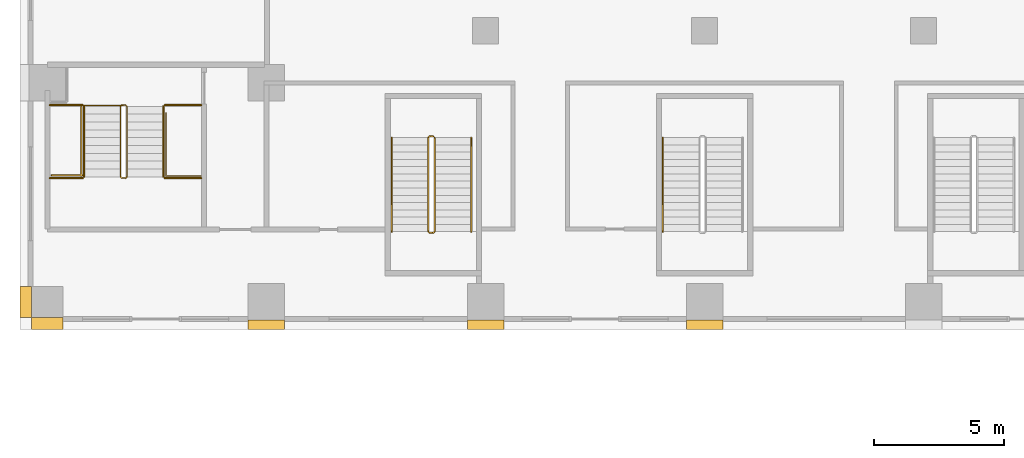
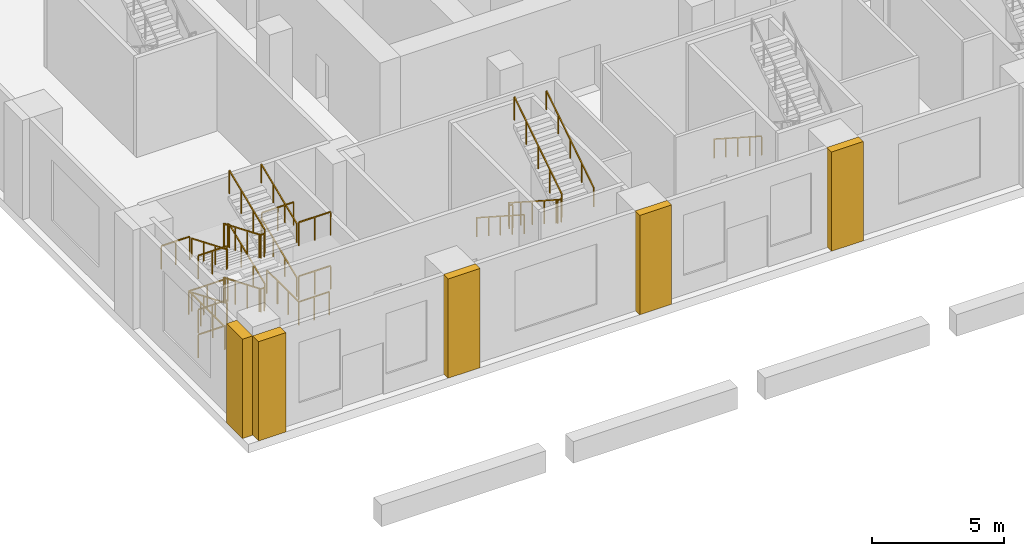
# One storey, part 13 of 21: 17 railings, 5 coverings.
"""IFC4 building model written with IfcOpenShell, lengths in metres."""

from ifc_helpers import new_model, si_unit, direction, frame, origin, origin_2d, place, context, subcontext, project, spatial, polyline, rectangle, outline, extrude, material, type_object, element, save


model = new_model("IFC4")

# Units and contexts
model_context = context("Model", 3, precision=1e-05, world=origin(), true_north=direction((0.0, 1.0)))
body_context = subcontext(model_context, "Body", "Model", "MODEL_VIEW")
ifc_project = project(units=[si_unit("LENGTHUNIT", "METRE"), si_unit("AREAUNIT", "SQUARE_METRE"), si_unit("VOLUMEUNIT", "CUBIC_METRE"), si_unit("PLANEANGLEUNIT", "RADIAN"), si_unit("MASSUNIT", "GRAM", prefix="KILO")], contexts=[model_context])

# Site, building, storey
site_placement = place(None, origin())
site = spatial("IfcSite", under=ifc_project, at=site_placement, CompositionType="ELEMENT")
building_placement = place(site_placement, origin())
building = spatial("IfcBuilding", under=site, at=building_placement, Name="Vermilion Ogive Tower", CompositionType="ELEMENT")
storey_placement = place(building_placement, frame((0.0, 0.0, 25.0)))
storey = spatial("IfcBuildingStorey", under=building, at=storey_placement, Name="L04", CompositionType="ELEMENT", Elevation=25.0)

# Railings
ifc_material_1 = material(Name="Steel S355 painted", Category="steel")
railing_type_1 = type_object("IfcRailingType", Name="Stair guard 1100", PredefinedType="GUARDRAIL", material=ifc_material_1)
railing_1_placement = place(storey_placement, frame((-10.39990234375, -14.64990234375, 0.0)))
element("IfcRailing", 1, at=railing_1_placement, inside=storey, type_object=railing_type_1, Name="L04 ST3 stair guard 4", PredefinedType="GUARDRAIL", context=body_context, shape_type="SweptSolid", body=[
    extrude(rectangle(XDim=0.048095703125, YDim=0.048095703125, at=origin_2d()), frame((0.0, 0.0, 1.076171875), z_axis=(-1.0, 0.0, 0.0), x_axis=(0.0, -1.0, 0.0)), (0.0, 0.0, 1.0), 0.150146484375),
    extrude(rectangle(XDim=0.048095703125, YDim=0.048095703125, at=origin_2d()), frame((-0.150146484375, 0.0, 1.076171875), z_axis=(-0.260684529273, -0.260684529273, 0.929562882432), x_axis=(0.707106781187, -0.707106781187, 0.0)), (0.0, 0.0, 1.0), 0.19189453125),
    extrude(rectangle(XDim=0.048095703125, YDim=0.048095703125, at=origin_2d()), frame((-0.2001953125, -0.050048828125, 1.25439453125), z_axis=(0.0, -0.840414717549, 0.541943818607), x_axis=(1.0, 0.0, 0.0)), (0.0, 0.0, 1.0), 4.28369140625),
    extrude(rectangle(XDim=0.048095703125, YDim=0.048095703125, at=origin_2d()), frame((-0.2001953125, -3.650146484375, 3.576171875), z_axis=(0.707106781187, -0.707106781187, 0.0), x_axis=(0.707106781187, 0.707106781187, 0.0)), (0.0, 0.0, 1.0), 0.07080078125),
    extrude(rectangle(XDim=0.048095703125, YDim=0.048095703125, at=origin_2d()), frame((-0.150146484375, -3.7001953125, 3.576171875), z_axis=(1.0, 0.0, 0.0), x_axis=(0.0, 1.0, 0.0)), (0.0, 0.0, 1.0), 0.150146484375),
    extrude(rectangle(XDim=0.048095703125, YDim=0.048095703125, at=origin_2d()), frame((0.0, -3.7001953125, 3.576171875), z_axis=(0.25949872427, 0.26077077684, 0.929870428634), x_axis=(-0.708833529934, 0.705375805398, 0.0)), (0.0, 0.0, 1.0), 0.19189453125),
    extrude(rectangle(XDim=0.048095703125, YDim=0.048095703125, at=origin_2d()), frame((0.0498046875, -3.650146484375, 3.75439453125), z_axis=(0.0, 0.840414717549, 0.541943818607), x_axis=(-1.0, 0.0, 0.0)), (0.0, 0.0, 1.0), 4.28369140625),
    extrude(rectangle(XDim=0.0419921875, YDim=0.0419921875, at=origin_2d()), origin(), (0.0, 0.0, 1.0), 1.052001953125),
    extrude(rectangle(XDim=0.0419921875, YDim=0.0419921875, at=origin_2d()), frame((-0.150146484375, 0.0, 0.0)), (0.0, 0.0, 1.0), 1.052001953125),
    extrude(rectangle(XDim=0.0419921875, YDim=0.0419921875, at=origin_2d()), frame((-0.2001953125, -0.050048828125, 0.178466796875)), (0.0, 0.0, 1.0), 1.052001953125),
    extrude(rectangle(XDim=0.0419921875, YDim=0.0419921875, at=origin_2d()), frame((-0.2001953125, -0.9501953125, 0.7587890625)), (0.0, 0.0, 1.0), 1.052001953125),
    extrude(rectangle(XDim=0.0419921875, YDim=0.0419921875, at=origin_2d()), frame((-0.2001953125, -1.85009765625, 1.33935546875)), (0.0, 0.0, 1.0), 1.052001953125),
    extrude(rectangle(XDim=0.0419921875, YDim=0.0419921875, at=origin_2d()), frame((-0.2001953125, -2.75, 1.919677734375)), (0.0, 0.0, 1.0), 1.052001953125),
    extrude(rectangle(XDim=0.0419921875, YDim=0.0419921875, at=origin_2d()), frame((-0.2001953125, -3.650146484375, 2.5)), (0.0, 0.0, 1.0), 1.052001953125),
    extrude(rectangle(XDim=0.0419921875, YDim=0.0419921875, at=origin_2d()), frame((-0.150146484375, -3.7001953125, 2.5)), (0.0, 0.0, 1.0), 1.052001953125),
    extrude(rectangle(XDim=0.0419921875, YDim=0.0419921875, at=origin_2d()), frame((0.0, -3.7001953125, 2.5)), (0.0, 0.0, 1.0), 1.052001953125),
    extrude(rectangle(XDim=0.0419921875, YDim=0.0419921875, at=origin_2d()), frame((0.0498046875, -3.650146484375, 2.678466796875)), (0.0, 0.0, 1.0), 1.052001953125),
    extrude(rectangle(XDim=0.0419921875, YDim=0.0419921875, at=origin_2d()), frame((0.0498046875, -2.75, 3.2587890625)), (0.0, 0.0, 1.0), 1.052001953125),
    extrude(rectangle(XDim=0.0419921875, YDim=0.0419921875, at=origin_2d()), frame((0.0498046875, -1.85009765625, 3.83935546875)), (0.0, 0.0, 1.0), 1.052001953125),
    extrude(rectangle(XDim=0.0419921875, YDim=0.0419921875, at=origin_2d()), frame((0.0498046875, -0.9501953125, 4.419677734375)), (0.0, 0.0, 1.0), 1.052001953125),
    extrude(rectangle(XDim=0.0419921875, YDim=0.0419921875, at=origin_2d()), frame((0.0498046875, -0.050048828125, 5.0)), (0.0, 0.0, 1.0), 1.052001953125),
])
railing_2_placement = place(storey_placement, frame((-22.199951171875, -13.449951171875, 0.0)))
element("IfcRailing", 2, at=railing_2_placement, inside=storey, type_object=railing_type_1, Name="L04 PS4 stair guard 8", PredefinedType="GUARDRAIL", context=body_context, shape_type="SweptSolid", body=[
    extrude(rectangle(XDim=0.048095703125, YDim=0.048095703125, at=origin_2d()), frame((0.0, 0.0, 1.076171875), z_axis=(-1.0, 0.0, 0.0), x_axis=(0.0, -1.0, 0.0)), (0.0, 0.0, 1.0), 0.150146484375),
    extrude(rectangle(XDim=0.048095703125, YDim=0.048095703125, at=origin_2d()), frame((-0.150146484375, 0.0, 1.076171875), z_axis=(-0.346918206498, -0.348618785942, 0.870696675133), x_axis=(0.708833529934, -0.705375805398, 0.0)), (0.0, 0.0, 1.0), 0.1435546875),
    extrude(rectangle(XDim=0.048095703125, YDim=0.048095703125, at=origin_2d()), frame((-0.199951171875, -0.050048828125, 1.201171875), z_axis=(0.0, -0.923074453586, 0.384621311341), x_axis=(1.0, 0.0, 0.0)), (0.0, 0.0, 1.0), 2.925048828125),
    extrude(rectangle(XDim=0.048095703125, YDim=0.048095703125, at=origin_2d()), frame((-0.199951171875, -2.75, 2.326171875), z_axis=(0.705375805398, -0.708833529934, 0.0), x_axis=(0.708833529934, 0.705375805398, 0.0)), (0.0, 0.0, 1.0), 0.070556640625),
    extrude(rectangle(XDim=0.048095703125, YDim=0.048095703125, at=origin_2d()), frame((-0.150146484375, -2.800048828125, 2.326171875), z_axis=(1.0, 0.0, 0.0), x_axis=(0.0, 1.0, 0.0)), (0.0, 0.0, 1.0), 0.150146484375),
    extrude(rectangle(XDim=0.048095703125, YDim=0.048095703125, at=origin_2d()), frame((0.0, -2.800048828125, 2.326171875), z_axis=(0.34841279274, 0.34841279274, 0.870182194549), x_axis=(-0.707106781187, 0.707106781187, 0.0)), (0.0, 0.0, 1.0), 0.1435546875),
    extrude(rectangle(XDim=0.048095703125, YDim=0.048095703125, at=origin_2d()), frame((0.050048828125, -2.75, 2.451171875), z_axis=(0.0, 0.923074453586, 0.384621311341), x_axis=(-1.0, 0.0, 0.0)), (0.0, 0.0, 1.0), 2.925048828125),
    extrude(rectangle(XDim=0.048095703125, YDim=0.048095703125, at=origin_2d()), frame((0.050048828125, -0.050048828125, 3.576171875), z_axis=(-0.707106781187, 0.707106781187, 0.0), x_axis=(-0.707106781187, -0.707106781187, 0.0)), (0.0, 0.0, 1.0), 0.07080078125),
    extrude(rectangle(XDim=0.048095703125, YDim=0.048095703125, at=origin_2d()), frame((0.0, 0.0, 3.576171875), z_axis=(-1.0, 0.0, 0.0), x_axis=(0.0, -1.0, 0.0)), (0.0, 0.0, 1.0), 0.150146484375),
    extrude(rectangle(XDim=0.048095703125, YDim=0.048095703125, at=origin_2d()), frame((-0.150146484375, 0.0, 3.576171875), z_axis=(-0.346918206498, -0.348618785942, 0.870696675133), x_axis=(0.708833529934, -0.705375805398, 0.0)), (0.0, 0.0, 1.0), 0.1435546875),
    extrude(rectangle(XDim=0.048095703125, YDim=0.048095703125, at=origin_2d()), frame((-0.199951171875, -0.050048828125, 3.701171875), z_axis=(0.0, -0.923074453586, 0.384621311341), x_axis=(1.0, 0.0, 0.0)), (0.0, 0.0, 1.0), 2.925048828125),
    extrude(rectangle(XDim=0.048095703125, YDim=0.048095703125, at=origin_2d()), frame((-0.199951171875, -2.75, 4.826171875), z_axis=(0.705375805398, -0.708833529934, 0.0), x_axis=(0.708833529934, 0.705375805398, 0.0)), (0.0, 0.0, 1.0), 0.070556640625),
    extrude(rectangle(XDim=0.048095703125, YDim=0.048095703125, at=origin_2d()), frame((-0.150146484375, -2.800048828125, 4.826171875), z_axis=(1.0, 0.0, 0.0), x_axis=(0.0, 1.0, 0.0)), (0.0, 0.0, 1.0), 0.150146484375),
    extrude(rectangle(XDim=0.048095703125, YDim=0.048095703125, at=origin_2d()), frame((0.0, -2.800048828125, 4.826171875), z_axis=(0.34841279274, 0.34841279274, 0.870182194549), x_axis=(-0.707106781187, 0.707106781187, 0.0)), (0.0, 0.0, 1.0), 0.1435546875),
    extrude(rectangle(XDim=0.048095703125, YDim=0.048095703125, at=origin_2d()), frame((0.050048828125, -2.75, 4.951171875), z_axis=(0.0, 0.923074453586, 0.384621311341), x_axis=(-1.0, 0.0, 0.0)), (0.0, 0.0, 1.0), 2.925048828125),
    extrude(rectangle(XDim=0.0419921875, YDim=0.0419921875, at=origin_2d()), origin(), (0.0, 0.0, 1.0), 1.052001953125),
    extrude(rectangle(XDim=0.0419921875, YDim=0.0419921875, at=origin_2d()), frame((-0.150146484375, 0.0, 0.0)), (0.0, 0.0, 1.0), 1.052001953125),
    extrude(rectangle(XDim=0.0419921875, YDim=0.0419921875, at=origin_2d()), frame((-0.199951171875, -0.050048828125, 0.125)), (0.0, 0.0, 1.0), 1.052001953125),
    extrude(rectangle(XDim=0.0419921875, YDim=0.0419921875, at=origin_2d()), frame((-0.199951171875, -0.949951171875, 0.5)), (0.0, 0.0, 1.0), 1.052001953125),
    extrude(rectangle(XDim=0.0419921875, YDim=0.0419921875, at=origin_2d()), frame((-0.199951171875, -1.85009765625, 0.875)), (0.0, 0.0, 1.0), 1.052001953125),
    extrude(rectangle(XDim=0.0419921875, YDim=0.0419921875, at=origin_2d()), frame((-0.199951171875, -2.75, 1.25)), (0.0, 0.0, 1.0), 1.052001953125),
    extrude(rectangle(XDim=0.0419921875, YDim=0.0419921875, at=origin_2d()), frame((-0.150146484375, -2.800048828125, 1.25)), (0.0, 0.0, 1.0), 1.052001953125),
    extrude(rectangle(XDim=0.0419921875, YDim=0.0419921875, at=origin_2d()), frame((0.0, -2.800048828125, 1.25)), (0.0, 0.0, 1.0), 1.052001953125),
    extrude(rectangle(XDim=0.0419921875, YDim=0.0419921875, at=origin_2d()), frame((0.050048828125, -2.75, 1.375)), (0.0, 0.0, 1.0), 1.052001953125),
    extrude(rectangle(XDim=0.0419921875, YDim=0.0419921875, at=origin_2d()), frame((0.050048828125, -1.85009765625, 1.75)), (0.0, 0.0, 1.0), 1.052001953125),
    extrude(rectangle(XDim=0.0419921875, YDim=0.0419921875, at=origin_2d()), frame((0.050048828125, -0.949951171875, 2.125)), (0.0, 0.0, 1.0), 1.052001953125),
    extrude(rectangle(XDim=0.0419921875, YDim=0.0419921875, at=origin_2d()), frame((0.050048828125, -0.050048828125, 2.5)), (0.0, 0.0, 1.0), 1.052001953125),
    extrude(rectangle(XDim=0.0419921875, YDim=0.0419921875, at=origin_2d()), frame((0.0, 0.0, 2.5)), (0.0, 0.0, 1.0), 1.052001953125),
    extrude(rectangle(XDim=0.0419921875, YDim=0.0419921875, at=origin_2d()), frame((-0.150146484375, 0.0, 2.5)), (0.0, 0.0, 1.0), 1.052001953125),
    extrude(rectangle(XDim=0.0419921875, YDim=0.0419921875, at=origin_2d()), frame((-0.199951171875, -0.050048828125, 2.625)), (0.0, 0.0, 1.0), 1.052001953125),
    extrude(rectangle(XDim=0.0419921875, YDim=0.0419921875, at=origin_2d()), frame((-0.199951171875, -0.949951171875, 3.0)), (0.0, 0.0, 1.0), 1.052001953125),
    extrude(rectangle(XDim=0.0419921875, YDim=0.0419921875, at=origin_2d()), frame((-0.199951171875, -1.85009765625, 3.375)), (0.0, 0.0, 1.0), 1.052001953125),
    extrude(rectangle(XDim=0.0419921875, YDim=0.0419921875, at=origin_2d()), frame((-0.199951171875, -2.75, 3.75)), (0.0, 0.0, 1.0), 1.052001953125),
    extrude(rectangle(XDim=0.0419921875, YDim=0.0419921875, at=origin_2d()), frame((-0.150146484375, -2.800048828125, 3.75)), (0.0, 0.0, 1.0), 1.052001953125),
    extrude(rectangle(XDim=0.0419921875, YDim=0.0419921875, at=origin_2d()), frame((0.0, -2.800048828125, 3.75)), (0.0, 0.0, 1.0), 1.052001953125),
    extrude(rectangle(XDim=0.0419921875, YDim=0.0419921875, at=origin_2d()), frame((0.050048828125, -2.75, 3.875)), (0.0, 0.0, 1.0), 1.052001953125),
    extrude(rectangle(XDim=0.0419921875, YDim=0.0419921875, at=origin_2d()), frame((0.050048828125, -1.85009765625, 4.25)), (0.0, 0.0, 1.0), 1.052001953125),
    extrude(rectangle(XDim=0.0419921875, YDim=0.0419921875, at=origin_2d()), frame((0.050048828125, -0.949951171875, 4.625)), (0.0, 0.0, 1.0), 1.052001953125),
    extrude(rectangle(XDim=0.0419921875, YDim=0.0419921875, at=origin_2d()), frame((0.050048828125, -0.050048828125, 5.0)), (0.0, 0.0, 1.0), 1.052001953125),
])
railing_3_placement = place(storey_placement, frame((-25.10009765625, -16.25, 1.25)))
element("IfcRailing", 3, at=railing_3_placement, inside=storey, type_object=railing_type_1, Name="L04 landing guard", PredefinedType="GUARDRAIL", context=body_context, shape_type="SweptSolid", body=[
    extrude(rectangle(XDim=0.048095703125, YDim=0.048095703125, at=origin_2d()), frame((0.0, 0.0, 1.076171875), z_axis=(1.0, 0.0, 0.0), x_axis=(0.0, 1.0, 0.0)), (0.0, 0.0, 1.0), 1.25),
    extrude(rectangle(XDim=0.0419921875, YDim=0.0419921875, at=origin_2d()), origin(), (0.0, 0.0, 1.0), 1.052001953125),
    extrude(rectangle(XDim=0.0419921875, YDim=0.0419921875, at=origin_2d()), frame((0.625, 0.0, 0.0)), (0.0, 0.0, 1.0), 1.052001953125),
    extrude(rectangle(XDim=0.0419921875, YDim=0.0419921875, at=origin_2d()), frame((1.25, 0.0, 0.0)), (0.0, 0.0, 1.0), 1.052001953125),
])
railing_4_placement = place(storey_placement, frame((-20.699951171875, -16.25, 1.25)))
element("IfcRailing", 4, at=railing_4_placement, inside=storey, type_object=railing_type_1, Name="L04 landing guard", PredefinedType="GUARDRAIL", context=body_context, shape_type="SweptSolid", body=[
    extrude(rectangle(XDim=0.048095703125, YDim=0.048095703125, at=origin_2d()), frame((0.0, 0.0, 1.076171875), z_axis=(1.0, 0.0, 0.0), x_axis=(0.0, 1.0, 0.0)), (0.0, 0.0, 1.0), 1.39990234375),
    extrude(rectangle(XDim=0.0419921875, YDim=0.0419921875, at=origin_2d()), origin(), (0.0, 0.0, 1.0), 1.052001953125),
    extrude(rectangle(XDim=0.0419921875, YDim=0.0419921875, at=origin_2d()), frame((0.699951171875, 0.0, 0.0)), (0.0, 0.0, 1.0), 1.052001953125),
    extrude(rectangle(XDim=0.0419921875, YDim=0.0419921875, at=origin_2d()), frame((1.39990234375, 0.0, 0.0)), (0.0, 0.0, 1.0), 1.052001953125),
])
railing_5_placement = place(storey_placement, frame((-25.10009765625, -13.449951171875, 2.5)))
element("IfcRailing", 5, at=railing_5_placement, inside=storey, type_object=railing_type_1, Name="L04 landing guard", PredefinedType="GUARDRAIL", context=body_context, shape_type="SweptSolid", body=[
    extrude(rectangle(XDim=0.048095703125, YDim=0.048095703125, at=origin_2d()), frame((0.0, 0.0, 1.076171875), z_axis=(1.0, 0.0, 0.0), x_axis=(0.0, 1.0, 0.0)), (0.0, 0.0, 1.0), 1.25),
    extrude(rectangle(XDim=0.0419921875, YDim=0.0419921875, at=origin_2d()), origin(), (0.0, 0.0, 1.0), 1.052001953125),
    extrude(rectangle(XDim=0.0419921875, YDim=0.0419921875, at=origin_2d()), frame((0.625, 0.0, 0.0)), (0.0, 0.0, 1.0), 1.052001953125),
    extrude(rectangle(XDim=0.0419921875, YDim=0.0419921875, at=origin_2d()), frame((1.25, 0.0, 0.0)), (0.0, 0.0, 1.0), 1.052001953125),
])
railing_6_placement = place(storey_placement, frame((-20.699951171875, -13.449951171875, 2.5)))
element("IfcRailing", 6, at=railing_6_placement, inside=storey, type_object=railing_type_1, Name="L04 landing guard", PredefinedType="GUARDRAIL", context=body_context, shape_type="SweptSolid", body=[
    extrude(rectangle(XDim=0.048095703125, YDim=0.048095703125, at=origin_2d()), frame((0.0, 0.0, 1.076171875), z_axis=(1.0, 0.0, 0.0), x_axis=(0.0, 1.0, 0.0)), (0.0, 0.0, 1.0), 1.39990234375),
    extrude(rectangle(XDim=0.0419921875, YDim=0.0419921875, at=origin_2d()), origin(), (0.0, 0.0, 1.0), 1.052001953125),
    extrude(rectangle(XDim=0.0419921875, YDim=0.0419921875, at=origin_2d()), frame((0.699951171875, 0.0, 0.0)), (0.0, 0.0, 1.0), 1.052001953125),
    extrude(rectangle(XDim=0.0419921875, YDim=0.0419921875, at=origin_2d()), frame((1.39990234375, 0.0, 0.0)), (0.0, 0.0, 1.0), 1.052001953125),
])
railing_7_placement = place(storey_placement, frame((-25.10009765625, -16.25, 3.75)))
element("IfcRailing", 7, at=railing_7_placement, inside=storey, type_object=railing_type_1, Name="L04 landing guard", PredefinedType="GUARDRAIL", context=body_context, shape_type="SweptSolid", body=[
    extrude(rectangle(XDim=0.048095703125, YDim=0.048095703125, at=origin_2d()), frame((0.0, 0.0, 1.076171875), z_axis=(1.0, 0.0, 0.0), x_axis=(0.0, 1.0, 0.0)), (0.0, 0.0, 1.0), 1.25),
    extrude(rectangle(XDim=0.0419921875, YDim=0.0419921875, at=origin_2d()), origin(), (0.0, 0.0, 1.0), 1.052001953125),
    extrude(rectangle(XDim=0.0419921875, YDim=0.0419921875, at=origin_2d()), frame((0.625, 0.0, 0.0)), (0.0, 0.0, 1.0), 1.052001953125),
    extrude(rectangle(XDim=0.0419921875, YDim=0.0419921875, at=origin_2d()), frame((1.25, 0.0, 0.0)), (0.0, 0.0, 1.0), 1.052001953125),
])
railing_8_placement = place(storey_placement, frame((-20.699951171875, -16.25, 3.75)))
element("IfcRailing", 8, at=railing_8_placement, inside=storey, type_object=railing_type_1, Name="L04 landing guard", PredefinedType="GUARDRAIL", context=body_context, shape_type="SweptSolid", body=[
    extrude(rectangle(XDim=0.048095703125, YDim=0.048095703125, at=origin_2d()), frame((0.0, 0.0, 1.076171875), z_axis=(1.0, 0.0, 0.0), x_axis=(0.0, 1.0, 0.0)), (0.0, 0.0, 1.0), 1.39990234375),
    extrude(rectangle(XDim=0.0419921875, YDim=0.0419921875, at=origin_2d()), origin(), (0.0, 0.0, 1.0), 1.052001953125),
    extrude(rectangle(XDim=0.0419921875, YDim=0.0419921875, at=origin_2d()), frame((0.699951171875, 0.0, 0.0)), (0.0, 0.0, 1.0), 1.052001953125),
    extrude(rectangle(XDim=0.0419921875, YDim=0.0419921875, at=origin_2d()), frame((1.39990234375, 0.0, 0.0)), (0.0, 0.0, 1.0), 1.052001953125),
])
railing_9_placement = place(storey_placement, frame((-20.6474609375, -13.74658203125, 0.0)))
element("IfcRailing", 9, at=railing_9_placement, inside=storey, type_object=railing_type_1, Name="L04 stair opening guard", PredefinedType="GUARDRAIL", context=body_context, shape_type="SweptSolid", body=[
    extrude(rectangle(XDim=0.048095703125, YDim=0.048095703125, at=origin_2d()), frame((0.0, 0.0, 1.076171875), z_axis=(0.0, -1.0, 0.0), x_axis=(1.0, 0.0, 0.0)), (0.0, 0.0, 1.0), 2.42431640625),
    extrude(rectangle(XDim=0.048095703125, YDim=0.048095703125, at=origin_2d()), frame((0.0, -2.42431640625, 1.076171875), z_axis=(1.0, 0.0, 0.0), x_axis=(0.0, 1.0, 0.0)), (0.0, 0.0, 1.0), 1.340087890625),
    extrude(rectangle(XDim=0.0419921875, YDim=0.0419921875, at=origin_2d()), origin(), (0.0, 0.0, 1.0), 1.052001953125),
    extrude(rectangle(XDim=0.0419921875, YDim=0.0419921875, at=origin_2d()), frame((0.0, -0.80810546875, 0.0)), (0.0, 0.0, 1.0), 1.052001953125),
    extrude(rectangle(XDim=0.0419921875, YDim=0.0419921875, at=origin_2d()), frame((0.0, -1.6162109375, 0.0)), (0.0, 0.0, 1.0), 1.052001953125),
    extrude(rectangle(XDim=0.0419921875, YDim=0.0419921875, at=origin_2d()), frame((0.0, -2.42431640625, 0.0)), (0.0, 0.0, 1.0), 1.052001953125),
    extrude(rectangle(XDim=0.0419921875, YDim=0.0419921875, at=origin_2d()), frame((0.669921875, -2.42431640625, 0.0)), (0.0, 0.0, 1.0), 1.052001953125),
    extrude(rectangle(XDim=0.0419921875, YDim=0.0419921875, at=origin_2d()), frame((1.340087890625, -2.42431640625, 0.0)), (0.0, 0.0, 1.0), 1.052001953125),
])
railing_10_placement = place(storey_placement, frame((-25.0400390625, -16.139892578125, 0.0)))
element("IfcRailing", 10, at=railing_10_placement, inside=storey, type_object=railing_type_1, Name="L04 stair opening guard", PredefinedType="GUARDRAIL", context=body_context, shape_type="SweptSolid", body=[
    extrude(rectangle(XDim=0.048095703125, YDim=0.048095703125, at=origin_2d()), frame((0.0, 0.0, 1.076171875), z_axis=(1.0, 0.0, 0.0), x_axis=(0.0, 1.0, 0.0)), (0.0, 0.0, 1.0), 1.18994140625),
    extrude(rectangle(XDim=0.048095703125, YDim=0.048095703125, at=origin_2d()), frame((1.18994140625, 0.0, 1.076171875), z_axis=(-0.867483117918, -0.497466622124, 0.0), x_axis=(0.497466622124, -0.867483117918, 0.0)), (0.0, 0.0, 1.0), 0.059326171875),
    extrude(rectangle(XDim=0.048095703125, YDim=0.048095703125, at=origin_2d()), frame((1.138427734375, -0.029541015625, 1.076171875), z_axis=(0.0, 1.0, 0.0), x_axis=(-1.0, 0.0, 0.0)), (0.0, 0.0, 1.0), 2.699951171875),
    extrude(rectangle(XDim=0.048095703125, YDim=0.048095703125, at=origin_2d()), frame((1.138427734375, 2.67041015625, 1.076171875), z_axis=(1.0, 0.0, 0.0), x_axis=(0.0, 1.0, 0.0)), (0.0, 0.0, 1.0), 1.60009765625),
    extrude(rectangle(XDim=0.0419921875, YDim=0.0419921875, at=origin_2d()), origin(), (0.0, 0.0, 1.0), 1.052001953125),
    extrude(rectangle(XDim=0.0419921875, YDim=0.0419921875, at=origin_2d()), frame((1.18994140625, 0.0, 0.0)), (0.0, 0.0, 1.0), 1.052001953125),
    extrude(rectangle(XDim=0.0419921875, YDim=0.0419921875, at=origin_2d()), frame((1.138427734375, -0.029541015625, 0.0)), (0.0, 0.0, 1.0), 1.052001953125),
    extrude(rectangle(XDim=0.0419921875, YDim=0.0419921875, at=origin_2d()), frame((1.138427734375, 0.870361328125, 0.0)), (0.0, 0.0, 1.0), 1.052001953125),
    extrude(rectangle(XDim=0.0419921875, YDim=0.0419921875, at=origin_2d()), frame((1.138427734375, 1.7705078125, 0.0)), (0.0, 0.0, 1.0), 1.052001953125),
    extrude(rectangle(XDim=0.0419921875, YDim=0.0419921875, at=origin_2d()), frame((1.138427734375, 2.67041015625, 0.0)), (0.0, 0.0, 1.0), 1.052001953125),
    extrude(rectangle(XDim=0.0419921875, YDim=0.0419921875, at=origin_2d()), frame((1.9384765625, 2.67041015625, 0.0)), (0.0, 0.0, 1.0), 1.052001953125),
    extrude(rectangle(XDim=0.0419921875, YDim=0.0419921875, at=origin_2d()), frame((2.738525390625, 2.67041015625, 0.0)), (0.0, 0.0, 1.0), 1.052001953125),
])
ifc_material_2 = material(Name="Stainless steel", Category="steel")
railing_type_2 = type_object("IfcRailingType", Name="Stair handrail 900", PredefinedType="HANDRAIL", material=ifc_material_2)
railing_11_placement = place(storey_placement, frame((-12.0, -14.699951171875, 0.178466796875)))
element("IfcRailing", 11, at=railing_11_placement, inside=storey, type_object=railing_type_2, Name="L04 ST3 stair handrail 1", PredefinedType="HANDRAIL", context=body_context, shape_type="SweptSolid", body=[
    extrude(rectangle(XDim=0.048095703125, YDim=0.048095703125, at=origin_2d()), frame((0.0, 0.0, 0.8759765625), z_axis=(0.0, -0.840414717549, 0.541943818607), x_axis=(1.0, 0.0, 0.0)), (0.0, 0.0, 1.0), 4.28369140625),
    extrude(rectangle(XDim=0.0419921875, YDim=0.0419921875, at=origin_2d()), origin(), (0.0, 0.0, 1.0), 0.851806640625),
    extrude(rectangle(XDim=0.0419921875, YDim=0.0419921875, at=origin_2d()), frame((0.0, -0.89990234375, 0.580322265625)), (0.0, 0.0, 1.0), 0.851806640625),
    extrude(rectangle(XDim=0.0419921875, YDim=0.0419921875, at=origin_2d()), frame((0.0, -1.800048828125, 1.16064453125)), (0.0, 0.0, 1.0), 0.851806640625),
    extrude(rectangle(XDim=0.0419921875, YDim=0.0419921875, at=origin_2d()), frame((0.0, -2.7001953125, 1.7412109375)), (0.0, 0.0, 1.0), 0.851806640625),
    extrude(rectangle(XDim=0.0419921875, YDim=0.0419921875, at=origin_2d()), frame((0.0, -3.60009765625, 2.321533203125)), (0.0, 0.0, 1.0), 0.851806640625),
])
railing_12_placement = place(storey_placement, frame((-8.949951171875, -18.300048828125, 2.678466796875)))
element("IfcRailing", 12, at=railing_12_placement, inside=storey, type_object=railing_type_2, Name="L04 ST3 stair handrail 2", PredefinedType="HANDRAIL", context=body_context, shape_type="SweptSolid", body=[
    extrude(rectangle(XDim=0.048095703125, YDim=0.048095703125, at=origin_2d()), frame((0.0, 0.0, 0.8759765625), z_axis=(0.0, 0.840414717549, 0.541943818607), x_axis=(-1.0, 0.0, 0.0)), (0.0, 0.0, 1.0), 4.28369140625),
    extrude(rectangle(XDim=0.0419921875, YDim=0.0419921875, at=origin_2d()), origin(), (0.0, 0.0, 1.0), 0.851806640625),
    extrude(rectangle(XDim=0.0419921875, YDim=0.0419921875, at=origin_2d()), frame((0.0, 0.89990234375, 0.580322265625)), (0.0, 0.0, 1.0), 0.851806640625),
    extrude(rectangle(XDim=0.0419921875, YDim=0.0419921875, at=origin_2d()), frame((0.0, 1.800048828125, 1.16064453125)), (0.0, 0.0, 1.0), 0.851806640625),
    extrude(rectangle(XDim=0.0419921875, YDim=0.0419921875, at=origin_2d()), frame((0.0, 2.7001953125, 1.7412109375)), (0.0, 0.0, 1.0), 0.851806640625),
    extrude(rectangle(XDim=0.0419921875, YDim=0.0419921875, at=origin_2d()), frame((0.0, 3.60009765625, 2.321533203125)), (0.0, 0.0, 1.0), 0.851806640625),
])
railing_13_placement = place(storey_placement, frame((-1.60009765625, -14.699951171875, 0.178466796875)))
element("IfcRailing", 13, at=railing_13_placement, inside=storey, type_object=railing_type_2, Name="L04 ST4 stair handrail 1", PredefinedType="HANDRAIL", context=body_context, shape_type="SweptSolid", body=[
    extrude(rectangle(XDim=0.048095703125, YDim=0.048095703125, at=origin_2d()), frame((0.0, 0.0, 0.8759765625), z_axis=(0.0, -0.840414717549, 0.541943818607), x_axis=(1.0, 0.0, 0.0)), (0.0, 0.0, 1.0), 4.28369140625),
    extrude(rectangle(XDim=0.0419921875, YDim=0.0419921875, at=origin_2d()), origin(), (0.0, 0.0, 1.0), 0.851806640625),
    extrude(rectangle(XDim=0.0419921875, YDim=0.0419921875, at=origin_2d()), frame((0.0, -0.89990234375, 0.580322265625)), (0.0, 0.0, 1.0), 0.851806640625),
    extrude(rectangle(XDim=0.0419921875, YDim=0.0419921875, at=origin_2d()), frame((0.0, -1.800048828125, 1.16064453125)), (0.0, 0.0, 1.0), 0.851806640625),
    extrude(rectangle(XDim=0.0419921875, YDim=0.0419921875, at=origin_2d()), frame((0.0, -2.7001953125, 1.7412109375)), (0.0, 0.0, 1.0), 0.851806640625),
    extrude(rectangle(XDim=0.0419921875, YDim=0.0419921875, at=origin_2d()), frame((0.0, -3.60009765625, 2.321533203125)), (0.0, 0.0, 1.0), 0.851806640625),
])
railing_14_placement = place(storey_placement, frame((-23.800048828125, -13.5, 0.125)))
element("IfcRailing", 14, at=railing_14_placement, inside=storey, type_object=railing_type_2, Name="L04 PS4 stair handrail 1", PredefinedType="HANDRAIL", context=body_context, shape_type="SweptSolid", body=[
    extrude(rectangle(XDim=0.048095703125, YDim=0.048095703125, at=origin_2d()), frame((0.0, 0.0, 0.8759765625), z_axis=(0.0, -0.923074453586, 0.384621311341), x_axis=(1.0, 0.0, 0.0)), (0.0, 0.0, 1.0), 2.925048828125),
    extrude(rectangle(XDim=0.0419921875, YDim=0.0419921875, at=origin_2d()), origin(), (0.0, 0.0, 1.0), 0.851806640625),
    extrude(rectangle(XDim=0.0419921875, YDim=0.0419921875, at=origin_2d()), frame((0.0, -0.89990234375, 0.375)), (0.0, 0.0, 1.0), 0.851806640625),
    extrude(rectangle(XDim=0.0419921875, YDim=0.0419921875, at=origin_2d()), frame((0.0, -1.800048828125, 0.75)), (0.0, 0.0, 1.0), 0.851806640625),
    extrude(rectangle(XDim=0.0419921875, YDim=0.0419921875, at=origin_2d()), frame((0.0, -2.699951171875, 1.125)), (0.0, 0.0, 1.0), 0.851806640625),
])
railing_15_placement = place(storey_placement, frame((-20.75, -16.199951171875, 1.375)))
element("IfcRailing", 15, at=railing_15_placement, inside=storey, type_object=railing_type_2, Name="L04 PS4 stair handrail 2", PredefinedType="HANDRAIL", context=body_context, shape_type="SweptSolid", body=[
    extrude(rectangle(XDim=0.048095703125, YDim=0.048095703125, at=origin_2d()), frame((0.0, 0.0, 0.8759765625), z_axis=(0.0, 0.923074453586, 0.384621311341), x_axis=(-1.0, 0.0, 0.0)), (0.0, 0.0, 1.0), 2.925048828125),
    extrude(rectangle(XDim=0.0419921875, YDim=0.0419921875, at=origin_2d()), origin(), (0.0, 0.0, 1.0), 0.851806640625),
    extrude(rectangle(XDim=0.0419921875, YDim=0.0419921875, at=origin_2d()), frame((0.0, 0.89990234375, 0.375)), (0.0, 0.0, 1.0), 0.851806640625),
    extrude(rectangle(XDim=0.0419921875, YDim=0.0419921875, at=origin_2d()), frame((0.0, 1.800048828125, 0.75)), (0.0, 0.0, 1.0), 0.851806640625),
    extrude(rectangle(XDim=0.0419921875, YDim=0.0419921875, at=origin_2d()), frame((0.0, 2.699951171875, 1.125)), (0.0, 0.0, 1.0), 0.851806640625),
])
railing_16_placement = place(storey_placement, frame((-23.800048828125, -13.5, 2.625)))
element("IfcRailing", 16, at=railing_16_placement, inside=storey, type_object=railing_type_2, Name="L04 PS4 stair handrail 3", PredefinedType="HANDRAIL", context=body_context, shape_type="SweptSolid", body=[
    extrude(rectangle(XDim=0.048095703125, YDim=0.048095703125, at=origin_2d()), frame((0.0, 0.0, 0.8759765625), z_axis=(0.0, -0.923074453586, 0.384621311341), x_axis=(1.0, 0.0, 0.0)), (0.0, 0.0, 1.0), 2.925048828125),
    extrude(rectangle(XDim=0.0419921875, YDim=0.0419921875, at=origin_2d()), origin(), (0.0, 0.0, 1.0), 0.851806640625),
    extrude(rectangle(XDim=0.0419921875, YDim=0.0419921875, at=origin_2d()), frame((0.0, -0.89990234375, 0.375)), (0.0, 0.0, 1.0), 0.851806640625),
    extrude(rectangle(XDim=0.0419921875, YDim=0.0419921875, at=origin_2d()), frame((0.0, -1.800048828125, 0.75)), (0.0, 0.0, 1.0), 0.851806640625),
    extrude(rectangle(XDim=0.0419921875, YDim=0.0419921875, at=origin_2d()), frame((0.0, -2.699951171875, 1.125)), (0.0, 0.0, 1.0), 0.851806640625),
])
railing_17_placement = place(storey_placement, frame((-20.75, -16.199951171875, 3.875)))
element("IfcRailing", 17, at=railing_17_placement, inside=storey, type_object=railing_type_2, Name="L04 PS4 stair handrail 4", PredefinedType="HANDRAIL", context=body_context, shape_type="SweptSolid", body=[
    extrude(rectangle(XDim=0.048095703125, YDim=0.048095703125, at=origin_2d()), frame((0.0, 0.0, 0.8759765625), z_axis=(0.0, 0.923074453586, 0.384621311341), x_axis=(-1.0, 0.0, 0.0)), (0.0, 0.0, 1.0), 2.925048828125),
    extrude(rectangle(XDim=0.0419921875, YDim=0.0419921875, at=origin_2d()), origin(), (0.0, 0.0, 1.0), 0.851806640625),
    extrude(rectangle(XDim=0.0419921875, YDim=0.0419921875, at=origin_2d()), frame((0.0, 0.89990234375, 0.375)), (0.0, 0.0, 1.0), 0.851806640625),
    extrude(rectangle(XDim=0.0419921875, YDim=0.0419921875, at=origin_2d()), frame((0.0, 1.800048828125, 0.75)), (0.0, 0.0, 1.0), 0.851806640625),
    extrude(rectangle(XDim=0.0419921875, YDim=0.0419921875, at=origin_2d()), frame((0.0, 2.699951171875, 1.125)), (0.0, 0.0, 1.0), 0.851806640625),
])

# Coverings
ifc_material_3 = material(Name="Stone cladding", Category="masonry")
covering_type = type_object("IfcCoveringType", Name="Stone pier", PredefinedType="CLADDING", material=ifc_material_3)
covering_1_placement = place(storey_placement, origin())
element("IfcCovering", 18, at=covering_1_placement, inside=storey, type_object=covering_type, Name="Stone pier P+000-210", PredefinedType="CLADDING", context=body_context, shape_type="SweptSolid", body=[
    extrude(outline(polyline([(0.699951171875, -22.050048828125), (-0.699951171875, -22.050048828125), (-0.699951171875, -21.699951171875), (0.699951171875, -21.699951171875), (0.699951171875, -22.050048828125)])), origin(), (0.0, 0.0, 1.0), 4.60009765625),
])
covering_2_placement = place(storey_placement, origin())
element("IfcCovering", 19, at=covering_2_placement, inside=storey, type_object=covering_type, Name="Stone pier P-084-210", PredefinedType="CLADDING", context=body_context, shape_type="SweptSolid", body=[
    extrude(outline(polyline([(-7.699951171875, -21.699951171875), (-7.699951171875, -22.050048828125), (-9.10009765625, -22.050048828125), (-9.10009765625, -21.699951171875), (-9.10009765625, -21.699951171875), (-7.699951171875, -21.699951171875)])), origin(), (0.0, 0.0, 1.0), 4.60009765625),
])
covering_3_placement = place(storey_placement, origin())
element("IfcCovering", 20, at=covering_3_placement, inside=storey, type_object=covering_type, Name="Stone pier P-168-210", PredefinedType="CLADDING", context=body_context, shape_type="SweptSolid", body=[
    extrude(outline(polyline([(-16.10009765625, -22.050048828125), (-17.5, -22.050048828125), (-17.5, -21.699951171875), (-16.10009765625, -21.699951171875), (-16.10009765625, -22.050048828125)])), origin(), (0.0, 0.0, 1.0), 4.60009765625),
])
covering_4_placement = place(storey_placement, origin())
element("IfcCovering", 21, at=covering_4_placement, inside=storey, type_object=covering_type, Name="Stone pier P-252-210S", PredefinedType="CLADDING", context=body_context, shape_type="SweptSolid", body=[
    extrude(outline(polyline([(-24.60009765625, -22.050048828125), (-25.800048828125, -22.050048828125), (-25.800048828125, -21.60009765625), (-24.60009765625, -21.60009765625), (-24.60009765625, -22.050048828125)])), origin(), (0.0, 0.0, 1.0), 4.60009765625),
])
covering_5_placement = place(storey_placement, origin())
element("IfcCovering", 22, at=covering_5_placement, inside=storey, type_object=covering_type, Name="Stone pier P-252-210W", PredefinedType="CLADDING", context=body_context, shape_type="SweptSolid", body=[
    extrude(outline(polyline([(-26.25, -20.39990234375), (-25.800048828125, -20.39990234375), (-25.800048828125, -21.60009765625), (-26.25, -21.60009765625), (-26.25, -20.39990234375)])), origin(), (0.0, 0.0, 1.0), 4.60009765625),
])

save(model, "model.ifc")
